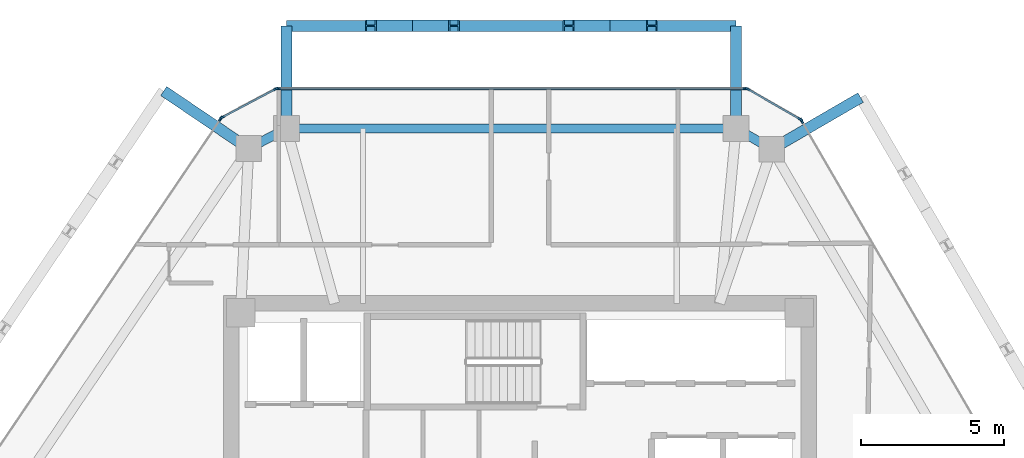
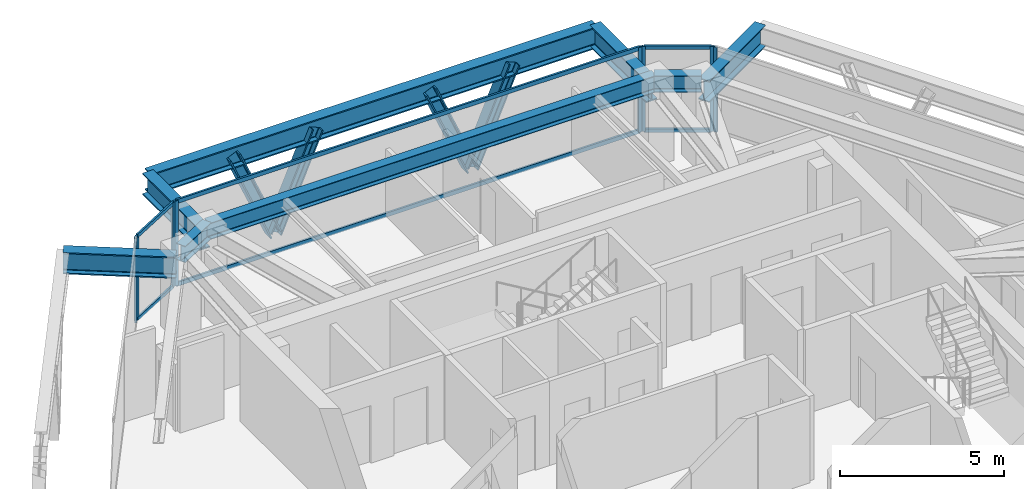
# One storey, part 6 of 11: 18 members, 8 beams, 5 elements without a shape of their own.
"""IFC4 building model written with IfcOpenShell, lengths in metres."""

from ifc_helpers import new_model, si_unit, direction, frame, origin, origin_2d, place, context, subcontext, project, spatial, rectangle, i_section, extrude, source, transform, mapped, material, layer, layer_set, material_profile, profile_set, type_object, type_shapes, element, aggregate, save


model = new_model("IFC4")

# Units and contexts
model_context = context("Model", 3, precision=1e-05, world=origin(), true_north=direction((0.0, 1.0)))
body_context = subcontext(model_context, "Body", "Model", "MODEL_VIEW")
ifc_project = project(units=[si_unit("LENGTHUNIT", "METRE"), si_unit("AREAUNIT", "SQUARE_METRE"), si_unit("VOLUMEUNIT", "CUBIC_METRE"), si_unit("PLANEANGLEUNIT", "RADIAN"), si_unit("MASSUNIT", "GRAM", prefix="KILO")], contexts=[model_context])

# Site, building, storey
site_placement = place(None, origin())
site = spatial("IfcSite", under=ifc_project, at=site_placement, CompositionType="ELEMENT")
building_placement = place(site_placement, origin())
building = spatial("IfcBuilding", under=site, at=building_placement, Name="Durnholm Broadcast Tower", CompositionType="ELEMENT")
storey_placement = place(building_placement, frame((0.0, 0.0, 258.10009765625)))
storey = spatial("IfcBuildingStorey", under=building, at=storey_placement, Name="L72", CompositionType="ELEMENT", Elevation=258.10009765625)

# Beams
ifc_material_1 = material(Name="Steel ASTM A992 Grade 50", Category="steel")
ifc_material_profile_1 = material_profile(ifc_material_1, i_section(OverallWidth=0.385009765625, OverallDepth=0.802978515625, WebThickness=0.023681640625, FlangeThickness=0.0419921875, FilletRadius=0.032958984375, at=origin_2d()), Name="W30X261")
ifc_profile_set_1 = profile_set([ifc_material_profile_1], Name="Steel ASTM A992 Grade 50")
beam_type_1 = type_object("IfcBeamType", Name="BM-EXO-TIE", PredefinedType="USERDEFINED", material=ifc_profile_set_1)
shared_shape_1 = source(origin(), body_context, "Body", "SweptSolid", [
    extrude(i_section(OverallWidth=0.385009765625, OverallDepth=0.802978515625, WebThickness=0.023681640625, FlangeThickness=0.0419921875, FilletRadius=0.032958984375, at=origin_2d()), origin(), (0.0, 0.0, 1.0), 3.4560546875),
])
for number, where, z_axis, x_axis, name in (
    (1, (7.57958984375, 14.406005859375, 2.408447265625), (0.0, 1.0, 0.0), (-1.0, 0.0, 0.0), "L72 exoskeleton stand-off tie bracket F4.1"),
    (2, (-8.187744140625, 14.406005859375, 2.408447265625), (0.0, 1.0, 0.0), (-1.0, 0.0, 0.0), "L72 exoskeleton stand-off tie bracket F4.2"),
):
    element("IfcBeam", number, at=place(storey_placement, frame(where, z_axis=z_axis, x_axis=x_axis)), inside=storey, type_object=beam_type_1, Name=name, ObjectType="GIRDER", PredefinedType="USERDEFINED", context=body_context, shape_type="MappedRepresentation", body=[
        mapped(shared_shape_1, transform((0.0, 0.0, 0.0), x_axis=(1.0, 0.0, 0.0), y_axis=(0.0, 1.0, 0.0), z_axis=(0.0, 0.0, 1.0), scale=1.0)),
    ])
shared_shape_2 = source(origin(), body_context, "Body", "SweptSolid", [
    extrude(i_section(OverallWidth=0.385009765625, OverallDepth=0.802978515625, WebThickness=0.023681640625, FlangeThickness=0.0419921875, FilletRadius=0.032958984375, at=origin_2d()), origin(), (0.0, 0.0, 1.0), 3.455810546875),
])
for number, where, z_axis, x_axis, name in (
    (3, (8.9619140625, 13.610107421875, 2.408447265625), (0.864906682814, 0.501932694715, 0.0), (-0.501932694715, 0.864906682814, 0.0), "L72 exoskeleton stand-off tie bracket F3.2"),
    (4, (-9.63427734375, 13.637939453125, 2.408447265625), (-0.828446342252, 0.560068440469, 0.0), (-0.560068440469, -0.828446342252, 0.0), "L72 exoskeleton stand-off tie bracket F5.1"),
):
    element("IfcBeam", number, at=place(storey_placement, frame(where, z_axis=z_axis, x_axis=x_axis)), inside=storey, type_object=beam_type_1, Name=name, ObjectType="GIRDER", PredefinedType="USERDEFINED", context=body_context, shape_type="MappedRepresentation", body=[
        mapped(shared_shape_2, transform((0.0, 0.0, 0.0), x_axis=(1.0, 0.0, 0.0), y_axis=(0.0, 1.0, 0.0), z_axis=(0.0, 0.0, 1.0), scale=1.0)),
    ])
ifc_material_profile_2 = material_profile(ifc_material_1, i_section(OverallWidth=0.3251953125, OverallDepth=0.6162109375, WebThickness=0.013916015625, FlangeThickness=0.021484375, FilletRadius=0.02783203125, at=origin_2d()), Name="W24X117")
ifc_profile_set_2 = profile_set([ifc_material_profile_2], Name="Steel ASTM A992 Grade 50")
beam_type_2 = type_object("IfcBeamType", Name="STL-SP-W24X117", PredefinedType="SPANDREL", material=ifc_profile_set_2)
shared_shape_3 = source(origin(), body_context, "Body", "SweptSolid", [
    extrude(i_section(OverallWidth=0.3251953125, OverallDepth=0.6162109375, WebThickness=0.013916015625, FlangeThickness=0.021484375, FilletRadius=0.02783203125, at=origin_2d()), origin(), (0.0, 0.0, 1.0), 1.502685546875),
])
beam_1_placement = place(storey_placement, frame((-9.514892578125, 13.557373046875, 2.8369140625), z_axis=(0.883241909673, 0.468917614296, 0.0), x_axis=(-0.468917614296, 0.883241909673, 0.0)))
element("IfcBeam", 5, at=beam_1_placement, inside=storey, type_object=beam_type_2, Name="L72 perimeter spandrel girder 04", PredefinedType="SPANDREL", context=body_context, shape_type="MappedRepresentation", body=[
    mapped(shared_shape_3, transform((0.0, 0.0, 0.0), x_axis=(1.0, 0.0, 0.0), y_axis=(0.0, 1.0, 0.0), z_axis=(0.0, 0.0, 1.0), scale=1.0)),
])
shared_shape_4 = source(origin(), body_context, "Body", "SweptSolid", [
    extrude(i_section(OverallWidth=0.3251953125, OverallDepth=0.6162109375, WebThickness=0.013916015625, FlangeThickness=0.021484375, FilletRadius=0.02783203125, at=origin_2d()), origin(), (0.0, 0.0, 1.0), 15.767333984375),
])
beam_2_placement = place(storey_placement, frame((-8.187744140625, 14.261962890625, 2.8369140625), z_axis=(1.0, 0.0, 0.0), x_axis=(0.0, 1.0, 0.0)))
element("IfcBeam", 6, at=beam_2_placement, inside=storey, type_object=beam_type_2, Name="L72 perimeter spandrel girder 05", PredefinedType="SPANDREL", context=body_context, shape_type="MappedRepresentation", body=[
    mapped(shared_shape_4, transform((0.0, 0.0, 0.0), x_axis=(1.0, 0.0, 0.0), y_axis=(0.0, 1.0, 0.0), z_axis=(0.0, 0.0, 1.0), scale=1.0)),
])
shared_shape_5 = source(origin(), body_context, "Body", "SweptSolid", [
    extrude(i_section(OverallWidth=0.3251953125, OverallDepth=0.6162109375, WebThickness=0.013916015625, FlangeThickness=0.021484375, FilletRadius=0.02783203125, at=origin_2d()), origin(), (0.0, 0.0, 1.0), 1.451416015625),
])
type_shapes(beam_type_2, [shared_shape_3, shared_shape_4, shared_shape_5])
beam_3_placement = place(storey_placement, frame((7.57958984375, 14.261962890625, 2.8369140625), z_axis=(0.866571760088, -0.499052486836, 0.0), x_axis=(0.499052486836, 0.866571760088, 0.0)))
element("IfcBeam", 7, at=beam_3_placement, inside=storey, type_object=beam_type_2, Name="L72 perimeter spandrel girder 06", PredefinedType="SPANDREL", context=body_context, shape_type="MappedRepresentation", body=[
    mapped(shared_shape_5, transform((0.0, 0.0, 0.0), x_axis=(1.0, 0.0, 0.0), y_axis=(0.0, 1.0, 0.0), z_axis=(0.0, 0.0, 1.0), scale=1.0)),
])
shared_shape_6 = source(origin(), body_context, "Body", "SweptSolid", [
    extrude(i_section(OverallWidth=0.385009765625, OverallDepth=0.802978515625, WebThickness=0.023681640625, FlangeThickness=0.0419921875, FilletRadius=0.032958984375, at=origin_2d()), origin(), (0.0, 0.0, 1.0), 15.767333984375),
])
type_shapes(beam_type_1, [shared_shape_1, shared_shape_2, shared_shape_6])
beam_4_placement = place(storey_placement, frame((7.57958984375, 17.862060546875, 2.408447265625), z_axis=(-1.0, 0.0, 0.0), x_axis=(0.0, -1.0, 0.0)))
element("IfcBeam", 8, at=beam_4_placement, inside=storey, type_object=beam_type_1, Name="L72 exoskeleton collector spandrel F4", PredefinedType="SPANDREL", context=body_context, shape_type="MappedRepresentation", body=[
    mapped(shared_shape_6, transform((0.0, 0.0, 0.0), x_axis=(1.0, 0.0, 0.0), y_axis=(0.0, 1.0, 0.0), z_axis=(0.0, 0.0, 1.0), scale=1.0)),
])

# Members
ifc_material_2 = material(Name="Steel ASTM A913 Grade 65", Category="steel")
ifc_material_profile_3 = material_profile(ifc_material_2, i_section(OverallWidth=0.40625, OverallDepth=0.416015625, WebThickness=0.02978515625, FlangeThickness=0.048095703125, FilletRadius=0.030517578125, at=origin_2d()), Name="W14X257")
ifc_profile_set_3 = profile_set([ifc_material_profile_3], Name="Steel ASTM A913 Grade 65")
member_type_1 = type_object("IfcMemberType", Name="STL-DG-W14X257", PredefinedType="BRACE", material=ifc_profile_set_3)
shared_shape_7 = source(origin(), body_context, "Body", "SweptSolid", [
    extrude(i_section(OverallWidth=0.40625, OverallDepth=0.416015625, WebThickness=0.02978515625, FlangeThickness=0.048095703125, FilletRadius=0.030517578125, at=origin_2d()), origin(), (0.0, 0.0, 1.0), 3.699462890625),
])
member_1_placement = place(storey_placement, frame((-3.772705078125, 17.862060546875, -0.99169921875), z_axis=(0.394102474633, 0.0, 0.919066504388), x_axis=(0.0, 1.0, 0.0)))
element("IfcMember", 9, at=member_1_placement, inside=storey, type_object=member_type_1, Name="L72 stand-off diagrid brace F4.D2.1", PredefinedType="BRACE", context=body_context, shape_type="MappedRepresentation", body=[
    mapped(shared_shape_7, transform((0.0, 0.0, 0.0), x_axis=(1.0, 0.0, 0.0), y_axis=(0.0, 1.0, 0.0), z_axis=(0.0, 0.0, 1.0), scale=1.0)),
])
shared_shape_8 = source(origin(), body_context, "Body", "SweptSolid", [
    extrude(i_section(OverallWidth=0.40625, OverallDepth=0.416015625, WebThickness=0.02978515625, FlangeThickness=0.048095703125, FilletRadius=0.030517578125, at=origin_2d()), origin(), (0.0, 0.0, 1.0), 3.69970703125),
])
type_shapes(member_type_1, [shared_shape_7, shared_shape_8])
for number, where, z_axis, x_axis, name in (
    (10, (3.164794921875, 17.862060546875, -0.99169921875), (0.394158214547, 0.0, 0.919042600702), (0.0, 1.0, 0.0), "L72 stand-off diagrid brace F4.D1.1"),
    (11, (3.164794921875, 17.862060546875, -0.99169921875), (-0.394158214547, 0.0, 0.919042600702), (0.0, -1.0, 0.0), "L72 stand-off diagrid brace F4.D1.2"),
    (12, (-3.772705078125, 17.862060546875, -0.99169921875), (-0.394158214547, 0.0, 0.919042600702), (0.0, -1.0, 0.0), "L72 stand-off diagrid brace F4.D2.2"),
):
    element("IfcMember", number, at=place(storey_placement, frame(where, z_axis=z_axis, x_axis=x_axis)), inside=storey, type_object=member_type_1, Name=name, PredefinedType="BRACE", context=body_context, shape_type="MappedRepresentation", body=[
        mapped(shared_shape_8, transform((0.0, 0.0, 0.0), x_axis=(1.0, 0.0, 0.0), y_axis=(0.0, 1.0, 0.0), z_axis=(0.0, 0.0, 1.0), scale=1.0)),
    ])

# Curtain wall, members
ifc_material_3 = material(Name="Aluminium and Solar Control IGU", Category="aluminium")
ifc_layer_1 = layer(ifc_material_3, 0.1650390625)
ifc_layer_set_1 = layer_set([ifc_layer_1], Name="Aluminium and Solar Control IGU")
curtain_wall_type_1 = type_object("IfcCurtainWallType", Name="CW-SYS-5", PredefinedType="NOTDEFINED", material=ifc_layer_set_1)
curtain_wall_1_placement = place(storey_placement, origin())
curtain_wall_1 = element("IfcCurtainWall", 13, at=curtain_wall_1_placement, inside=storey, type_object=curtain_wall_type_1, Name="L72 curtain wall CW-CORNER CW-L72-CRN-03", PredefinedType="NOTDEFINED")
ifc_material_4 = material(Name="Aluminium 6063-T6", Category="aluminium")
ifc_material_profile_4 = material_profile(ifc_material_4, rectangle(XDim=0.06494140625, YDim=0.1298828125, at=origin_2d()), Name="CWT65X130")
ifc_profile_set_4 = profile_set([ifc_material_profile_4], Name="Aluminium 6063-T6")
member_type_2 = type_object("IfcMemberType", Name="CW-SYS-5-TRN", PredefinedType="USERDEFINED", material=ifc_profile_set_4)
shared_shape_9 = source(origin(), body_context, "Body", "SweptSolid", [
    extrude(rectangle(XDim=0.06494140625, YDim=0.1298828125, at=origin_2d()), origin(), (0.0, 0.0, 1.0), 2.070068359375),
])
type_shapes(member_type_2, [shared_shape_9])
member_2_placement = place(storey_placement, frame((-10.421875, 14.66064453125, 0.032470703125), z_axis=(0.883164581026, 0.469063239682, 0.0), x_axis=(-0.469063239682, 0.883164581026, 0.0)))
member_2 = element("IfcMember", 14, at=member_2_placement, type_object=member_type_2, Name="CW-CORNER transom 1.1", ObjectType="TRANSOM", PredefinedType="USERDEFINED", context=body_context, shape_type="MappedRepresentation", body=[
    mapped(shared_shape_9, transform((0.0, 0.0, 0.0), x_axis=(1.0, 0.0, 0.0), y_axis=(0.0, 1.0, 0.0), z_axis=(0.0, 0.0, 1.0), scale=1.0)),
])
member_3_placement = place(storey_placement, frame((-10.421875, 14.66064453125, 3.12744140625), z_axis=(0.883164581026, 0.469063239682, 0.0), x_axis=(-0.469063239682, 0.883164581026, 0.0)))
member_3 = element("IfcMember", 15, at=member_3_placement, type_object=member_type_2, Name="CW-CORNER transom 1.2", ObjectType="TRANSOM", PredefinedType="USERDEFINED", context=body_context, shape_type="MappedRepresentation", body=[
    mapped(shared_shape_9, transform((0.0, 0.0, 0.0), x_axis=(1.0, 0.0, 0.0), y_axis=(0.0, 1.0, 0.0), z_axis=(0.0, 0.0, 1.0), scale=1.0)),
])

curtain_wall_2_placement = place(storey_placement, origin())
curtain_wall_2 = element("IfcCurtainWall", 16, at=curtain_wall_2_placement, inside=storey, type_object=curtain_wall_type_1, Name="L72 curtain wall CW-CORNER CW-L72-CRN-05", PredefinedType="NOTDEFINED")
member_4_placement = place(storey_placement, frame((8.01025390625, 15.629638671875, 0.032470703125), z_axis=(0.866525076636, -0.499133540809, 0.0), x_axis=(0.499133540809, 0.866525076636, 0.0)))
member_4 = element("IfcMember", 17, at=member_4_placement, type_object=member_type_2, Name="CW-CORNER transom 1.1", ObjectType="TRANSOM", PredefinedType="USERDEFINED", context=body_context, shape_type="MappedRepresentation", body=[
    mapped(shared_shape_9, transform((0.0, 0.0, 0.0), x_axis=(1.0, 0.0, 0.0), y_axis=(0.0, 1.0, 0.0), z_axis=(0.0, 0.0, 1.0), scale=1.0)),
])
member_5_placement = place(storey_placement, frame((8.01025390625, 15.629638671875, 3.12744140625), z_axis=(0.866525076636, -0.499133540809, 0.0), x_axis=(0.499133540809, 0.866525076636, 0.0)))
member_5 = element("IfcMember", 18, at=member_5_placement, type_object=member_type_2, Name="CW-CORNER transom 1.2", ObjectType="TRANSOM", PredefinedType="USERDEFINED", context=body_context, shape_type="MappedRepresentation", body=[
    mapped(shared_shape_9, transform((0.0, 0.0, 0.0), x_axis=(1.0, 0.0, 0.0), y_axis=(0.0, 1.0, 0.0), z_axis=(0.0, 0.0, 1.0), scale=1.0)),
])

ifc_layer_2 = layer(ifc_material_3, 0.18994140625)
ifc_layer_set_2 = layer_set([ifc_layer_2], Name="Aluminium and Solar Control IGU")
curtain_wall_type_2 = type_object("IfcCurtainWallType", Name="CW-SYS-4", PredefinedType="NOTDEFINED", material=ifc_layer_set_2)
curtain_wall_3_placement = place(storey_placement, origin())
curtain_wall_3 = element("IfcCurtainWall", 19, at=curtain_wall_3_placement, inside=storey, type_object=curtain_wall_type_2, Name="L72 curtain wall CW-Z34-VIS CW-L72-F04", PredefinedType="NOTDEFINED")
ifc_material_profile_5 = material_profile(ifc_material_4, rectangle(XDim=0.070068359375, YDim=0.14990234375, at=origin_2d()), Name="CWT70X150")
ifc_profile_set_5 = profile_set([ifc_material_profile_5], Name="Aluminium 6063-T6")
member_type_3 = type_object("IfcMemberType", Name="CW-SYS-4-TRN", PredefinedType="USERDEFINED", material=ifc_profile_set_5)
shared_shape_10 = source(origin(), body_context, "Body", "SweptSolid", [
    extrude(rectangle(XDim=0.070068359375, YDim=0.14990234375, at=origin_2d()), origin(), (0.0, 0.0, 1.0), 16.350341796875),
])
type_shapes(member_type_3, [shared_shape_10])
member_6_placement = place(storey_placement, frame((-8.46630859375, 15.662109375, 0.034912109375), z_axis=(1.0, 0.0, 0.0), x_axis=(0.0, 1.0, 0.0)))
member_6 = element("IfcMember", 20, at=member_6_placement, type_object=member_type_3, Name="CW-Z34-VIS transom 1.1", ObjectType="TRANSOM", PredefinedType="USERDEFINED", context=body_context, shape_type="MappedRepresentation", body=[
    mapped(shared_shape_10, transform((0.0, 0.0, 0.0), x_axis=(1.0, 0.0, 0.0), y_axis=(0.0, 1.0, 0.0), z_axis=(0.0, 0.0, 1.0), scale=1.0)),
])
member_7_placement = place(storey_placement, frame((-8.46630859375, 15.662109375, 3.125), z_axis=(1.0, 0.0, 0.0), x_axis=(0.0, 1.0, 0.0)))
member_7 = element("IfcMember", 21, at=member_7_placement, type_object=member_type_3, Name="CW-Z34-VIS transom 1.2", ObjectType="TRANSOM", PredefinedType="USERDEFINED", context=body_context, shape_type="MappedRepresentation", body=[
    mapped(shared_shape_10, transform((0.0, 0.0, 0.0), x_axis=(1.0, 0.0, 0.0), y_axis=(0.0, 1.0, 0.0), z_axis=(0.0, 0.0, 1.0), scale=1.0)),
])

# Member
ifc_material_profile_6 = material_profile(ifc_material_4, rectangle(XDim=0.06494140625, YDim=0.1650390625, at=origin_2d()), Name="CWM65X165")
ifc_profile_set_6 = profile_set([ifc_material_profile_6], Name="Aluminium 6063-T6")
member_type_4 = type_object("IfcMemberType", Name="CW-SYS-5-MUL", PredefinedType="MULLION", material=ifc_profile_set_6)
shared_shape_11 = source(origin(), body_context, "Body", "SweptSolid", [
    extrude(rectangle(XDim=0.06494140625, YDim=0.1650390625, at=origin_2d()), origin(), (0.0, 0.0, 1.0), 3.159912109375),
])
type_shapes(member_type_4, [shared_shape_11])
member_8_placement = place(storey_placement, frame((-10.45068359375, 14.6455078125, 0.0), z_axis=(0.0, 0.0, 1.0), x_axis=(-0.469006771575, 0.883194569853, 0.0)))
member_8 = element("IfcMember", 22, at=member_8_placement, type_object=member_type_4, Name="CW-CORNER mullion 1", PredefinedType="MULLION", context=body_context, shape_type="MappedRepresentation", body=[
    mapped(shared_shape_11, transform((0.0, 0.0, 0.0), x_axis=(1.0, 0.0, 0.0), y_axis=(0.0, 1.0, 0.0), z_axis=(0.0, 0.0, 1.0), scale=1.0)),
])

member_9_placement = place(storey_placement, frame((-8.565185546875, 15.646728515625, 0.0), z_axis=(0.0, 0.0, 1.0), x_axis=(-0.469006771575, 0.883194569853, 0.0)))
member_9 = element("IfcMember", 23, at=member_9_placement, type_object=member_type_4, Name="CW-CORNER mullion 2", PredefinedType="MULLION", context=body_context, shape_type="MappedRepresentation", body=[
    mapped(shared_shape_11, transform((0.0, 0.0, 0.0), x_axis=(1.0, 0.0, 0.0), y_axis=(0.0, 1.0, 0.0), z_axis=(0.0, 0.0, 1.0), scale=1.0)),
])

aggregate(curtain_wall_1, [member_8, member_9, member_2, member_3])

member_10_placement = place(storey_placement, frame((7.982177734375, 15.645751953125, 0.0), z_axis=(0.0, 0.0, 1.0), x_axis=(0.499058582333, 0.866568249707, 0.0)))
member_10 = element("IfcMember", 24, at=member_10_placement, type_object=member_type_4, Name="CW-CORNER mullion 1", PredefinedType="MULLION", context=body_context, shape_type="MappedRepresentation", body=[
    mapped(shared_shape_11, transform((0.0, 0.0, 0.0), x_axis=(1.0, 0.0, 0.0), y_axis=(0.0, 1.0, 0.0), z_axis=(0.0, 0.0, 1.0), scale=1.0)),
])

member_11_placement = place(storey_placement, frame((9.832275390625, 14.580322265625, 0.0), z_axis=(0.0, 0.0, 1.0), x_axis=(0.499058582333, 0.866568249707, 0.0)))
member_11 = element("IfcMember", 25, at=member_11_placement, type_object=member_type_4, Name="CW-CORNER mullion 2", PredefinedType="MULLION", context=body_context, shape_type="MappedRepresentation", body=[
    mapped(shared_shape_11, transform((0.0, 0.0, 0.0), x_axis=(1.0, 0.0, 0.0), y_axis=(0.0, 1.0, 0.0), z_axis=(0.0, 0.0, 1.0), scale=1.0)),
])

aggregate(curtain_wall_2, [member_10, member_11, member_4, member_5])

# Curtain wall, member
curtain_wall_4_placement = place(storey_placement, origin())
curtain_wall_4 = element("IfcCurtainWall", 26, at=curtain_wall_4_placement, inside=storey, type_object=curtain_wall_type_2, Name="L72 curtain wall CW-Z34-VIS CW-L72-F02", PredefinedType="NOTDEFINED")
ifc_material_profile_7 = material_profile(ifc_material_4, rectangle(XDim=0.070068359375, YDim=0.18994140625, at=origin_2d()), Name="CWM70X190")
ifc_profile_set_7 = profile_set([ifc_material_profile_7], Name="Aluminium 6063-T6")
member_type_5 = type_object("IfcMemberType", Name="CW-SYS-4-MUL", PredefinedType="MULLION", material=ifc_profile_set_7)
shared_shape_12 = source(origin(), body_context, "Body", "SweptSolid", [
    extrude(rectangle(XDim=0.070068359375, YDim=0.18994140625, at=origin_2d()), origin(), (0.0, 0.0, 1.0), 3.159912109375),
])
type_shapes(member_type_5, [shared_shape_12])
member_12_placement = place(storey_placement, frame((-10.4990234375, 14.601318359375, 0.0), z_axis=(0.0, 0.0, 1.0), x_axis=(-0.828443431662, 0.560072745753, 0.0)))
member_12 = element("IfcMember", 27, at=member_12_placement, type_object=member_type_5, Name="CW-Z34-VIS mullion 2", PredefinedType="MULLION", context=body_context, shape_type="MappedRepresentation", body=[
    mapped(shared_shape_12, transform((0.0, 0.0, 0.0), x_axis=(1.0, 0.0, 0.0), y_axis=(0.0, 1.0, 0.0), z_axis=(0.0, 0.0, 1.0), scale=1.0)),
])
aggregate(curtain_wall_4, [member_12])

# Member
member_13_placement = place(storey_placement, frame((-8.50146484375, 15.662109375, 0.0), z_axis=(0.0, 0.0, 1.0), x_axis=(0.0, 1.0, 0.0)))
member_13 = element("IfcMember", 28, at=member_13_placement, type_object=member_type_5, Name="CW-Z34-VIS mullion 1", PredefinedType="MULLION", context=body_context, shape_type="MappedRepresentation", body=[
    mapped(shared_shape_12, transform((0.0, 0.0, 0.0), x_axis=(1.0, 0.0, 0.0), y_axis=(0.0, 1.0, 0.0), z_axis=(0.0, 0.0, 1.0), scale=1.0)),
])

member_14_placement = place(storey_placement, frame((7.9189453125, 15.662109375, 0.0), z_axis=(0.0, 0.0, 1.0), x_axis=(0.0, 1.0, 0.0)))
member_14 = element("IfcMember", 29, at=member_14_placement, type_object=member_type_5, Name="CW-Z34-VIS mullion 2", PredefinedType="MULLION", context=body_context, shape_type="MappedRepresentation", body=[
    mapped(shared_shape_12, transform((0.0, 0.0, 0.0), x_axis=(1.0, 0.0, 0.0), y_axis=(0.0, 1.0, 0.0), z_axis=(0.0, 0.0, 1.0), scale=1.0)),
])

aggregate(curtain_wall_3, [member_13, member_14, member_6, member_7])

# Curtain wall, member
curtain_wall_5_placement = place(storey_placement, origin())
curtain_wall_5 = element("IfcCurtainWall", 30, at=curtain_wall_5_placement, inside=storey, type_object=curtain_wall_type_2, Name="L72 curtain wall CW-Z34-VIS CW-L72-F06", PredefinedType="NOTDEFINED")
member_15_placement = place(storey_placement, frame((9.8779296875, 14.533935546875, 0.0), z_axis=(0.0, 0.0, 1.0), x_axis=(0.864899883824, 0.50194441023, 0.0)))
member_15 = element("IfcMember", 31, at=member_15_placement, type_object=member_type_5, Name="CW-Z34-VIS mullion 1", PredefinedType="MULLION", context=body_context, shape_type="MappedRepresentation", body=[
    mapped(shared_shape_12, transform((0.0, 0.0, 0.0), x_axis=(1.0, 0.0, 0.0), y_axis=(0.0, 1.0, 0.0), z_axis=(0.0, 0.0, 1.0), scale=1.0)),
])
aggregate(curtain_wall_5, [member_15])

save(model, "model.ifc")
